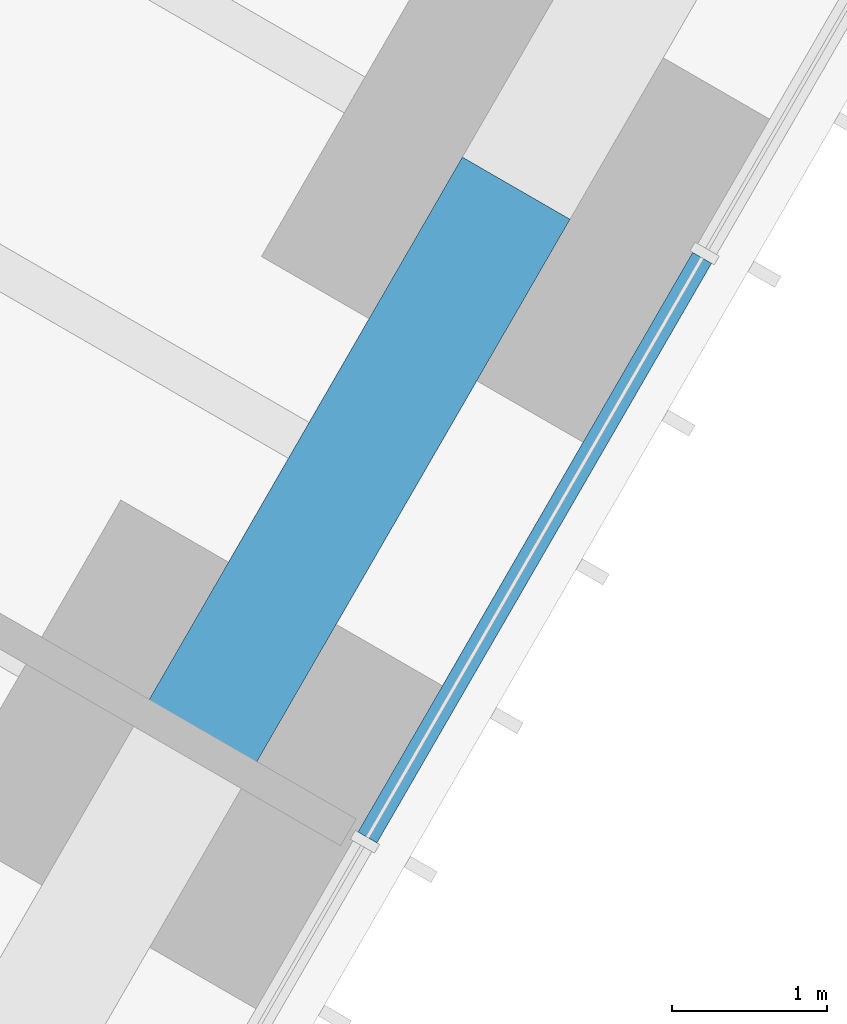
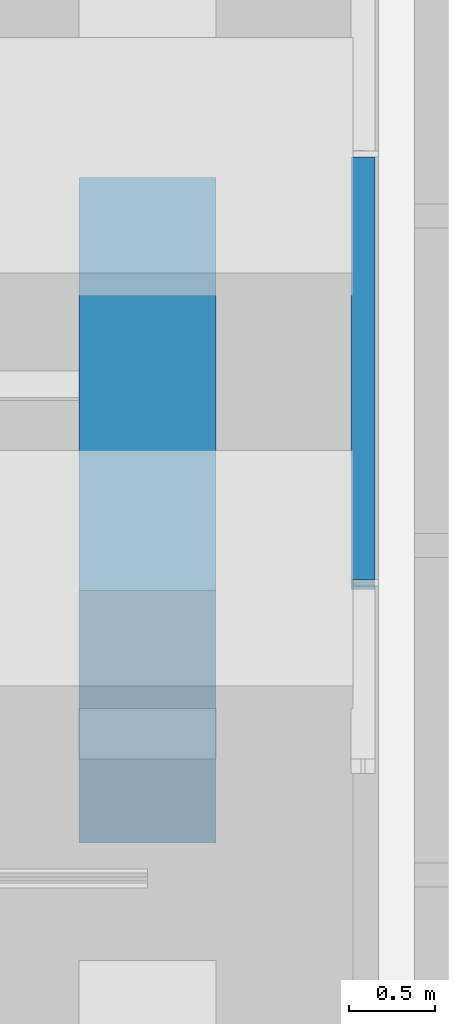
# One storey, part 114 of 256: 1 beam, 1 member, 1 element without a shape of its own.
"""IFC4 building model written with IfcOpenShell, lengths in metres."""

from ifc_helpers import new_model, si_unit, direction, frame, origin, origin_2d, place, context, subcontext, project, spatial, rectangle, extrude, material, material_profile, profile_set, type_object, element, aggregate, save


model = new_model("IFC4")

# Units and contexts
model_context = context("Model", 3, precision=1e-05, world=origin(), true_north=direction((0.0, 1.0)))
body_context = subcontext(model_context, "Body", "Model", "MODEL_VIEW")
ifc_project = project(units=[si_unit("LENGTHUNIT", "METRE"), si_unit("AREAUNIT", "SQUARE_METRE"), si_unit("VOLUMEUNIT", "CUBIC_METRE"), si_unit("PLANEANGLEUNIT", "RADIAN"), si_unit("MASSUNIT", "GRAM", prefix="KILO")], contexts=[model_context])

# Site, building, storey
site_placement = place(None, origin())
site = spatial("IfcSite", under=ifc_project, at=site_placement, CompositionType="ELEMENT")
building_placement = place(site_placement, origin())
building = spatial("IfcBuilding", under=site, at=building_placement, Name="Sandreach Pilgrim Tower", CompositionType="ELEMENT")
storey_placement = place(building_placement, frame((0.0, 0.0, 23.0)))
storey = spatial("IfcBuildingStorey", under=building, at=storey_placement, Name="L04", CompositionType="ELEMENT", Elevation=23.0)

# Curtain wall, member
ifc_material_1 = material(Name="Aluminium framed curtain wall", Category="aluminium")
curtain_wall_type = type_object("IfcCurtainWallType", Name="Hostel tower curtain wall", PredefinedType="NOTDEFINED", material=ifc_material_1)
curtain_wall_placement = place(storey_placement, origin())
curtain_wall = element("IfcCurtainWall", 1, at=curtain_wall_placement, inside=storey, type_object=curtain_wall_type, Name="CW-1 L04 SE", PredefinedType="NOTDEFINED")
ifc_material_2 = material(Name="Aluminium extrusion", Category="aluminium")
ifc_material_profile_1 = material_profile(ifc_material_2, rectangle(XDim=0.139892578125, YDim=0.070068359375, at=origin_2d()), Name="CW-1T 140X70")
ifc_profile_set_1 = profile_set([ifc_material_profile_1], Name="Aluminium extrusion")
member_type = type_object("IfcMemberType", Name="CW-1 transom", PredefinedType="USERDEFINED", material=ifc_profile_set_1)
member_placement = place(storey_placement, frame((24.002685546875, -6.32373046875, 3.60498046875), z_axis=(-0.500016891966, -0.866015650984, 0.0), x_axis=(0.866015650984, -0.500016891966, 0.0)))
member = element("IfcMember", 2, at=member_placement, type_object=member_type, Name="CW-1 head transom 4", ObjectType="TRANSOM", PredefinedType="USERDEFINED", context=body_context, shape_type="SweptSolid", body=[
    extrude(rectangle(XDim=0.139892578125, YDim=0.070068359375, at=origin_2d()), origin(), (0.0, 0.0, 1.0), 4.306396484375),
])
aggregate(curtain_wall, [member])

# Beam
ifc_material_3 = material(Name="Concrete 10000 psi", Category="concrete")
ifc_material_profile_2 = material_profile(ifc_material_3, rectangle(XDim=0.800048828125, YDim=1.800048828125, at=origin_2d()), Name="RC800X1800")
ifc_profile_set_2 = profile_set([ifc_material_profile_2], Name="Concrete 10000 psi")
beam_type = type_object("IfcBeamType", Name="Spandrel beam RC800X1800", PredefinedType="SPANDREL", material=ifc_profile_set_2)
beam_placement = place(storey_placement, frame((22.806396484375, -5.87548828125, 2.739990234375), z_axis=(-0.499993523031, -0.866029143232, 0.0), x_axis=(0.866029143232, -0.499993523031, 0.0)))
element("IfcBeam", 3, at=beam_placement, inside=storey, type_object=beam_type, Name="BM L04 SP16", PredefinedType="SPANDREL", context=body_context, shape_type="SweptSolid", body=[
    extrude(rectangle(XDim=0.800048828125, YDim=1.800048828125, at=origin_2d()), origin(), (0.0, 0.0, 1.0), 4.2099609375),
])

save(model, "model.ifc")
